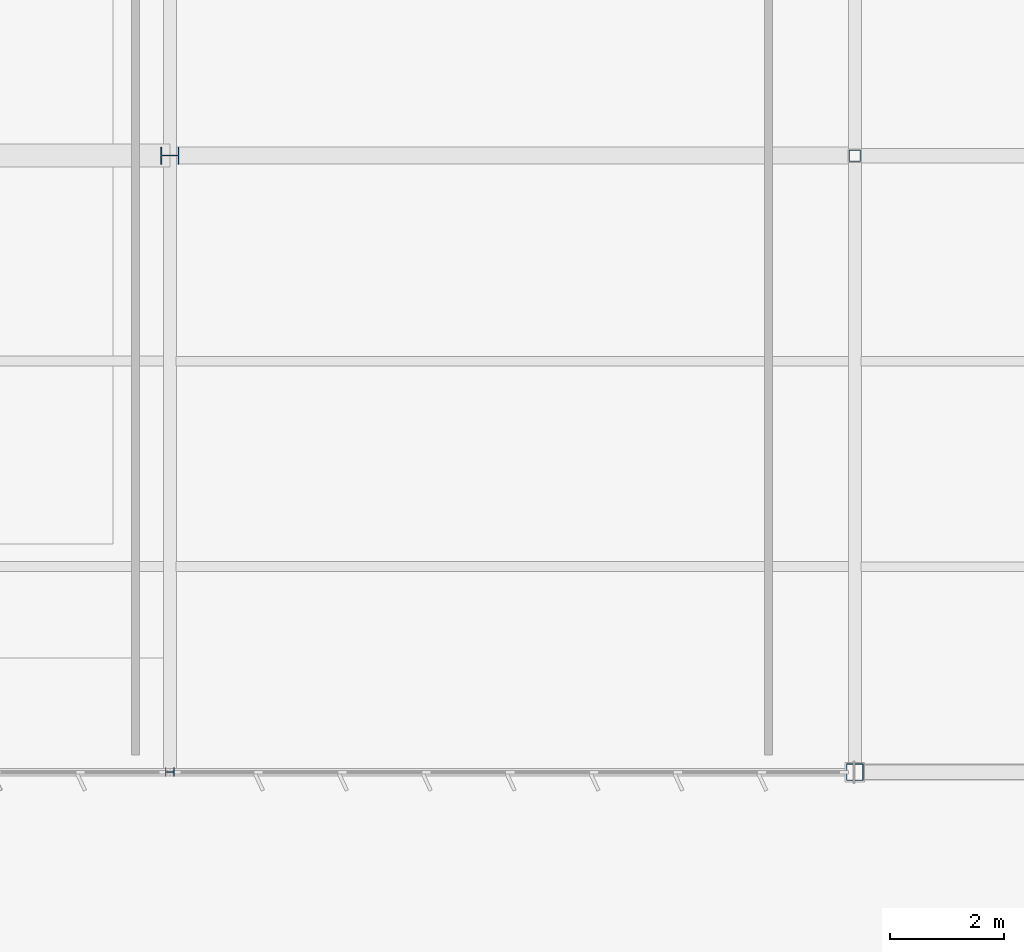
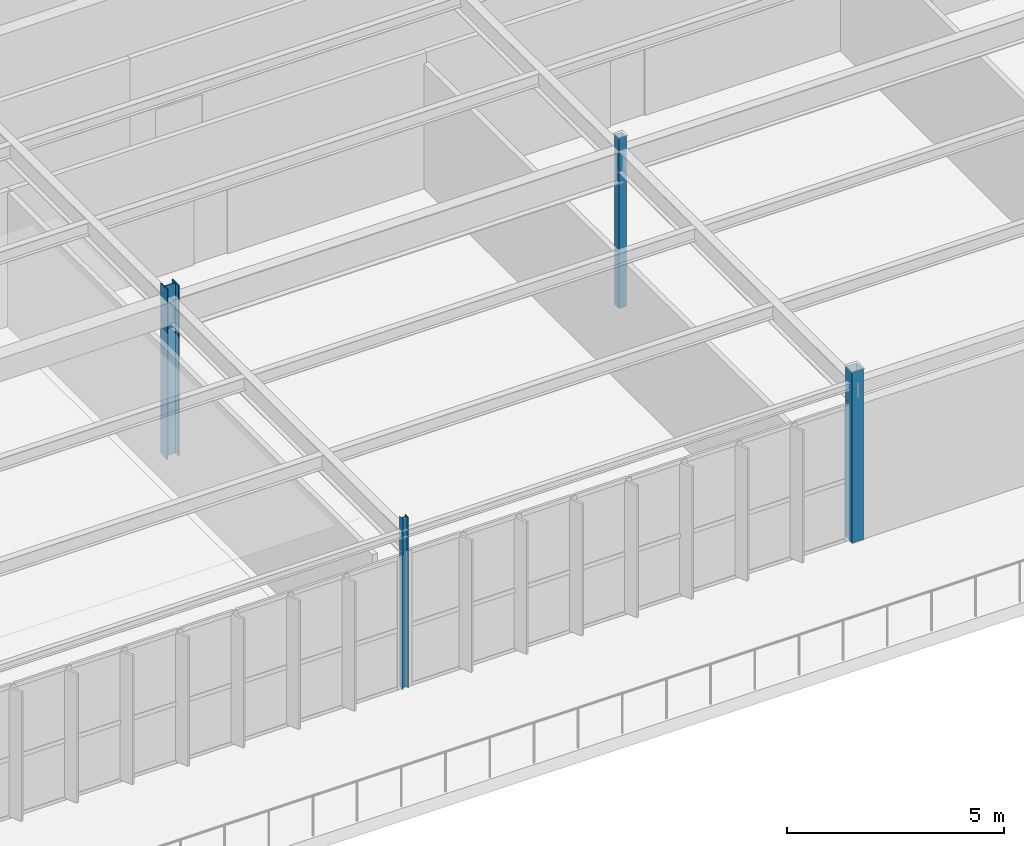
# One storey, part 41 of 199: 4 columns.
"""IFC4 building model written with IfcOpenShell, lengths in metres."""

from ifc_helpers import new_model, si_unit, direction, frame, origin, origin_2d, place, context, subcontext, project, spatial, hollow_rectangle, i_section, extrude, material, material_profile, profile_set, type_object, element, save


model = new_model("IFC4")

# Units and contexts
model_context = context("Model", 3, precision=1e-05, world=origin(), true_north=direction((0.0, 1.0)))
body_context = subcontext(model_context, "Body", "Model", "MODEL_VIEW")
ifc_project = project(units=[si_unit("LENGTHUNIT", "METRE"), si_unit("AREAUNIT", "SQUARE_METRE"), si_unit("VOLUMEUNIT", "CUBIC_METRE"), si_unit("PLANEANGLEUNIT", "RADIAN"), si_unit("MASSUNIT", "GRAM", prefix="KILO")], contexts=[model_context])

# Site, building, storey
site_placement = place(None, origin())
site = spatial("IfcSite", under=ifc_project, at=site_placement, CompositionType="ELEMENT")
building_placement = place(site_placement, origin())
building = spatial("IfcBuilding", under=site, at=building_placement, Name="Tarnwether General Hospital", CompositionType="ELEMENT")
storey_placement = place(building_placement, origin())
storey = spatial("IfcBuildingStorey", under=building, at=storey_placement, Name="L00", CompositionType="ELEMENT", Elevation=0.0)

# Columns
ifc_material_1 = material(Name="Steel Grade 350 (350 MPa)", Category="steel")
ifc_material_profile_1 = material_profile(ifc_material_1, i_section(OverallWidth=0.31103515625, OverallDepth=0.326904296875, WebThickness=0.015625, FlangeThickness=0.02490234375, at=origin_2d()), Name="310UC158")
ifc_profile_set_1 = profile_set([ifc_material_profile_1], Name="Steel Grade 350 (350 MPa)")
column_type_1 = type_object("IfcColumnType", Name="COL-05", PredefinedType="COLUMN", material=ifc_profile_set_1)
column_1_placement = place(storey_placement, frame((156.0, 10.800048828125, 0.0), z_axis=(0.0, 0.0, 1.0), x_axis=(0.0, 1.0, 0.0)))
element("IfcColumn", 1, at=column_1_placement, inside=storey, type_object=column_type_1, Name="Column COLG-L00-15600_1080", PredefinedType="COLUMN", context=body_context, shape_type="SweptSolid", body=[
    extrude(i_section(OverallWidth=0.31103515625, OverallDepth=0.326904296875, WebThickness=0.015625, FlangeThickness=0.02490234375, at=origin_2d()), origin(), (0.0, 0.0, 1.0), 4.800048828125),
])
ifc_material_2 = material(Name="Steel Grade C350L0 (350 MPa)", Category="steel")
ifc_material_profile_2 = material_profile(ifc_material_2, hollow_rectangle(XDim=0.199951171875, YDim=0.199951171875, WallThickness=0.010009765625, at=origin_2d()), Name="SHS200x200x10")
ifc_profile_set_2 = profile_set([ifc_material_profile_2], Name="Steel Grade C350L0 (350 MPa)")
column_type_2 = type_object("IfcColumnType", Name="COL-15", PredefinedType="COLUMN", material=ifc_profile_set_2)
column_2_placement = place(storey_placement, frame((168.0, 10.800048828125, 0.0), z_axis=(0.0, 0.0, 1.0), x_axis=(1.0, 0.0, 0.0)))
element("IfcColumn", 2, at=column_2_placement, inside=storey, type_object=column_type_2, Name="Column COLG-L00-16800_1080", PredefinedType="COLUMN", context=body_context, shape_type="SweptSolid", body=[
    extrude(hollow_rectangle(XDim=0.199951171875, YDim=0.199951171875, WallThickness=0.010009765625, at=origin_2d()), origin(), (0.0, 0.0, 1.0), 4.800048828125),
])
ifc_material_3 = material(Name="Steel Grade C350L0 (350 MPa)", Category="steel")
ifc_material_profile_3 = material_profile(ifc_material_3, hollow_rectangle(XDim=0.300048828125, YDim=0.300048828125, WallThickness=0.012451171875, at=origin_2d()), Name="SHS300x300x12.5")
ifc_profile_set_3 = profile_set([ifc_material_profile_3], Name="Steel Grade C350L0 (350 MPa)")
column_type_3 = type_object("IfcColumnType", Name="COL-30", PredefinedType="COLUMN", material=ifc_profile_set_3)
column_3_placement = place(storey_placement, frame((168.0, 0.0, 0.0), z_axis=(0.0, 0.0, 1.0), x_axis=(1.0, 0.0, 0.0)))
element("IfcColumn", 3, at=column_3_placement, inside=storey, type_object=column_type_3, Name="Column COLG-L00-16800_0", PredefinedType="COLUMN", context=body_context, shape_type="SweptSolid", body=[
    extrude(hollow_rectangle(XDim=0.300048828125, YDim=0.300048828125, WallThickness=0.012451171875, at=origin_2d()), origin(), (0.0, 0.0, 1.0), 4.800048828125),
])
ifc_material_4 = material(Name="Steel Grade 350 (350 MPa)", Category="steel")
ifc_material_profile_4 = material_profile(ifc_material_4, i_section(OverallWidth=0.152099609375, OverallDepth=0.152099609375, WebThickness=0.006103515625, FlangeThickness=0.0068359375, at=origin_2d()), Name="150UC23.4")
ifc_profile_set_4 = profile_set([ifc_material_profile_4], Name="Steel Grade 350 (350 MPa)")
column_type_4 = type_object("IfcColumnType", Name="COL-32", PredefinedType="COLUMN", material=ifc_profile_set_4)
column_4_placement = place(storey_placement, frame((156.0, 0.0, 0.0), z_axis=(0.0, 0.0, 1.0), x_axis=(0.0, 1.0, 0.0)))
element("IfcColumn", 4, at=column_4_placement, inside=storey, type_object=column_type_4, Name="Column COLG-L00-15600_0", PredefinedType="COLUMN", context=body_context, shape_type="SweptSolid", body=[
    extrude(i_section(OverallWidth=0.152099609375, OverallDepth=0.152099609375, WebThickness=0.006103515625, FlangeThickness=0.0068359375, at=origin_2d()), origin(), (0.0, 0.0, 1.0), 4.800048828125),
])

save(model, "model.ifc")
